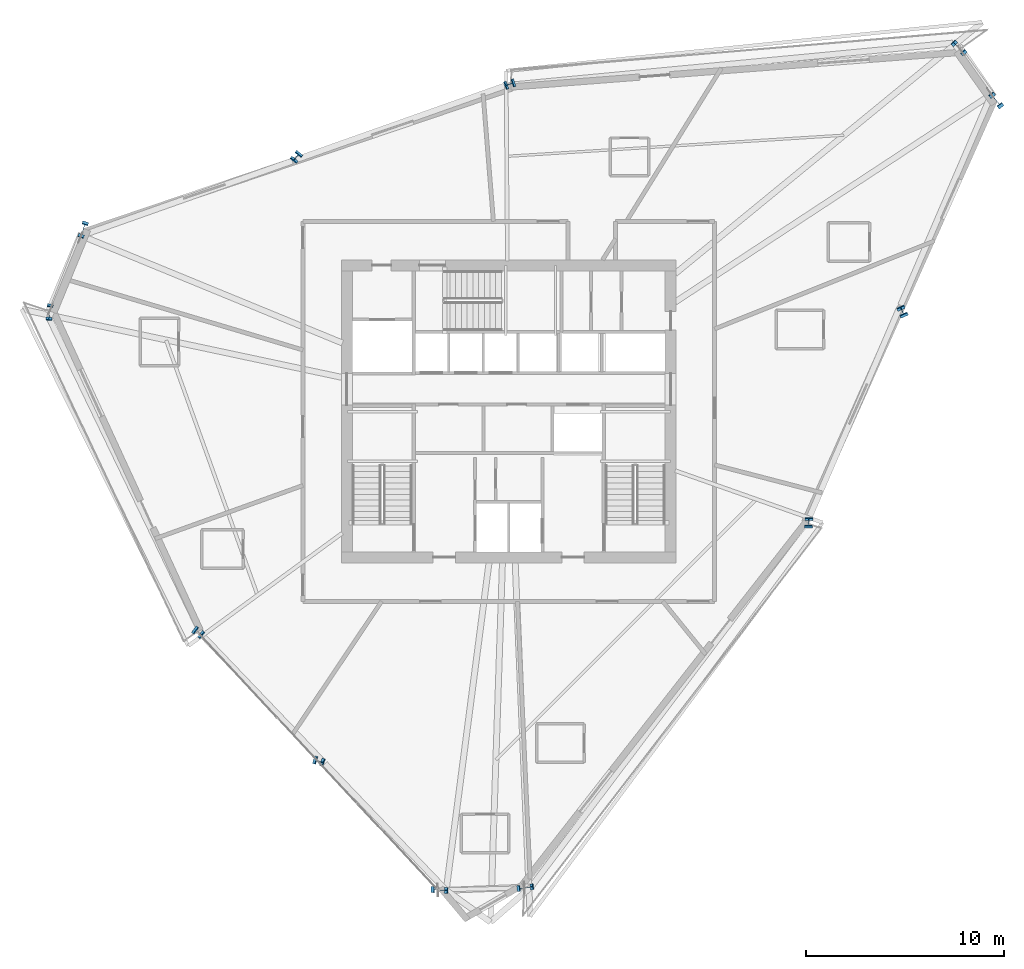
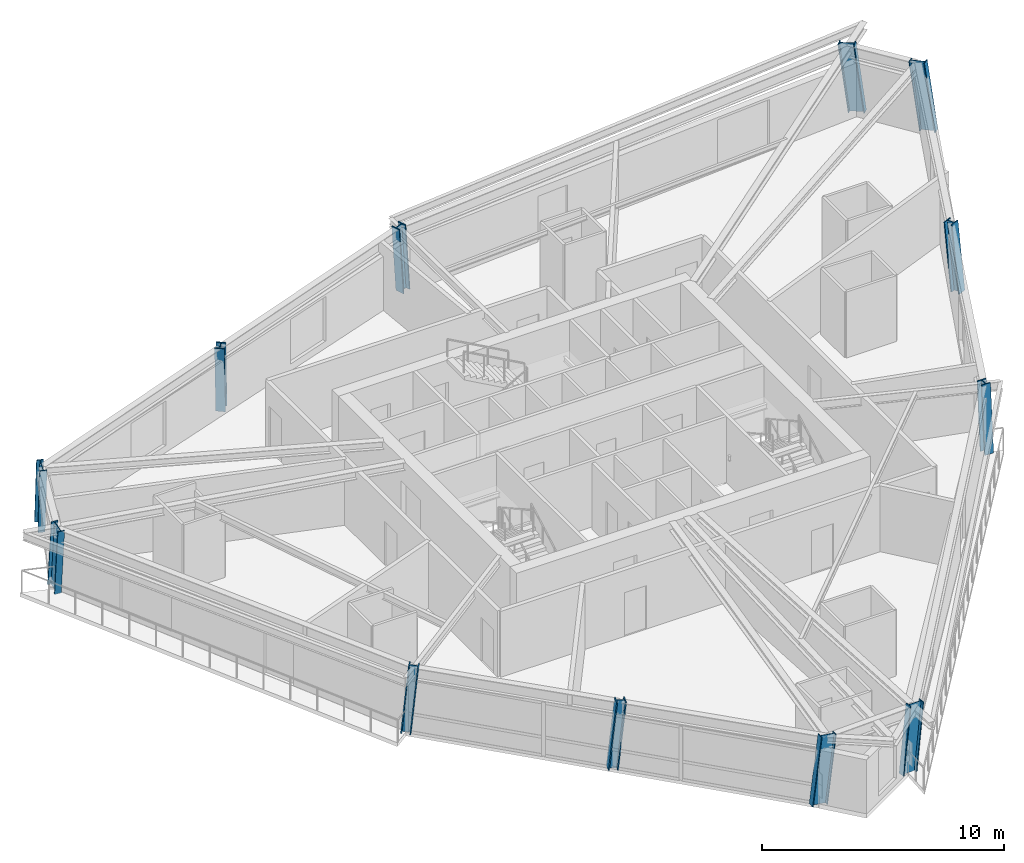
# One storey, part 1 of 14: 12 columns.
"""IFC4 building model written with IfcOpenShell, lengths in metres."""

import ifcopenshell
import ifcopenshell.guid

model = None  # the IFC model being written
_history = None  # IfcOwnerHistory: only IFC2X3 demands one
_inside = {}  # id of a spatial element -> (the spatial element, [elements in it])
_under = {}  # id of a project, library or spatial element -> (it, [spatial elements below it])
_declared = {}  # id of a project -> (the project, [libraries it declares])
_typed = {}  # id of a type object -> (the type object, [elements of that type])
_made_of = {}  # id of a material, layer set ... -> (it, [elements and type objects made of it])


def new_model(schema):
    """Start an empty IFC model of exactly this schema.

    Asked for "IFC4X3", IfcOpenShell would pick the latest addendum, in which some entities
    have other attributes; the version numbers below select the first issue.
    IFC2X3 requires an IfcOwnerHistory on every rooted entity: one is made here for all.
    """
    global model, _history
    if schema == "IFC4X3":
        model = ifcopenshell.file(schema_version=(4, 3, 0, 0))
    else:
        model = ifcopenshell.file(schema=schema)
    _inside.clear()
    _under.clear()
    _declared.clear()
    _typed.clear()
    _made_of.clear()
    _history = None
    if model.schema == "IFC2X3":
        org = make("IfcOrganization", Name="unknown")
        user = make(
            "IfcPersonAndOrganization",
            ThePerson=make("IfcPerson", FamilyName="unknown"),
            TheOrganization=org,
        )
        app = make(
            "IfcApplication",
            ApplicationDeveloper=org,
            Version="unknown",
            ApplicationFullName="unknown",
            ApplicationIdentifier="unknown",
        )
        _history = make(
            "IfcOwnerHistory",
            OwningUser=user,
            OwningApplication=app,
            ChangeAction="ADDED",
            CreationDate=0,
        )
    return model


def make(cls, **values):
    """One entity of the class cls with the attributes given. An attribute that is None is left unset."""
    return model.create_entity(
        cls, **{name: value for name, value in values.items() if value is not None}
    )


def rooted(cls, **values):
    """An entity with a GlobalId (a new one), such as an element, a storey or a relation."""
    return make(cls, GlobalId=ifcopenshell.guid.new(), OwnerHistory=_history, **values)


def si_unit(unit_type, name, prefix=None):
    """IfcSIUnit, for example si_unit("LENGTHUNIT", "METRE", prefix="MILLI")."""
    return make("IfcSIUnit", UnitType=unit_type, Prefix=prefix, Name=name)


def assignment(units):
    """IfcUnitAssignment: the units of a project."""
    return None if units is None else make("IfcUnitAssignment", Units=units)


def point(xyz):
    """IfcCartesianPoint."""
    return None if xyz is None else make("IfcCartesianPoint", Coordinates=xyz)


def direction(xyz):
    """IfcDirection."""
    return None if xyz is None else make("IfcDirection", DirectionRatios=xyz)


def frame(location, z_axis=None, x_axis=None):
    """IfcAxis2Placement3D, a coordinate frame: its origin and axes. An axis left out is left unset."""
    return make(
        "IfcAxis2Placement3D",
        Location=point(location),
        Axis=direction(z_axis),
        RefDirection=direction(x_axis),
    )


def frame_2d(location, x_axis=None):
    """IfcAxis2Placement2D, a coordinate frame in the plane: its origin and x axis."""
    return make(
        "IfcAxis2Placement2D", Location=point(location), RefDirection=direction(x_axis)
    )


def origin():
    """The frame at (0, 0, 0) with its axes left unset."""
    return frame((0.0, 0.0, 0.0))


def origin_2d():
    """The frame at (0, 0) in the plane with its x axis left unset."""
    return frame_2d((0.0, 0.0))


def place(relative_to, where):
    """IfcLocalPlacement: puts the frame where relative to a parent placement (None: the world)."""
    return make(
        "IfcLocalPlacement", PlacementRelTo=relative_to, RelativePlacement=where
    )


def context(
    kind, dimensions, precision=None, world=None, true_north=None, identifier=None
):
    """IfcGeometricRepresentationContext, for example the 3D "Model" context."""
    return make(
        "IfcGeometricRepresentationContext",
        ContextIdentifier=identifier,
        ContextType=kind,
        CoordinateSpaceDimension=dimensions,
        Precision=precision,
        WorldCoordinateSystem=world,
        TrueNorth=true_north,
    )


def subcontext(parent, identifier, kind, view, scale=None):
    """IfcGeometricRepresentationSubContext, for example "Body" below "Model"."""
    return make(
        "IfcGeometricRepresentationSubContext",
        ContextIdentifier=identifier,
        ContextType=kind,
        ParentContext=parent,
        TargetScale=scale,
        TargetView=view,
    )


def project(units=None, contexts=None):
    """IfcProject with its units and contexts."""
    return rooted(
        "IfcProject",
        Name="project",
        RepresentationContexts=contexts,
        UnitsInContext=assignment(units),
    )


def spatial(cls, under=None, at=None, **own):
    """A site, building, storey or space (cls), placed at a placement, below another one or the project."""
    s = rooted(cls, ObjectPlacement=at, **own)
    if under is not None:
        _under.setdefault(under.id(), (under, []))[1].append(s)
    return s


def profile(cls, at=None, kind="AREA", **sizes):
    """A parametric profile (cls). Its sizes go by their IFC names, for example OverallWidth=200.0."""
    return make(cls, ProfileType=kind, Position=at, **sizes)


def i_section(**sizes):
    """IfcIShapeProfileDef."""
    return profile("IfcIShapeProfileDef", **sizes)


def extrude(swept, where, along, depth):
    """IfcExtrudedAreaSolid: the profile swept, set in the frame where, extruded along a direction by depth."""
    return make(
        "IfcExtrudedAreaSolid",
        SweptArea=swept,
        Position=where,
        ExtrudedDirection=direction(along),
        Depth=depth,
    )


def shape(context_of_items, identifier, shape_type, items):
    """IfcShapeRepresentation: the items that make up one representation, for example the "Body"."""
    return make(
        "IfcShapeRepresentation",
        ContextOfItems=context_of_items,
        RepresentationIdentifier=identifier,
        RepresentationType=shape_type,
        Items=items,
    )


def source(mapping_origin, context_of_items, identifier, shape_type, items):
    """IfcRepresentationMap: a shape defined once, which mapped items show again and again."""
    return make(
        "IfcRepresentationMap",
        MappingOrigin=mapping_origin,
        MappedRepresentation=shape(context_of_items, identifier, shape_type, items),
    )


def transform(
    local_origin,
    x_axis=None,
    y_axis=None,
    z_axis=None,
    scale=None,
    scale2=None,
    scale3=None,
    uniform=True,
):
    """IfcCartesianTransformationOperator3D, or its non-uniform kind. x_axis, y_axis, z_axis: its Axis1, 2, 3."""
    if uniform:
        return make(
            "IfcCartesianTransformationOperator3D",
            Axis1=direction(x_axis),
            Axis2=direction(y_axis),
            LocalOrigin=point(local_origin),
            Scale=scale,
            Axis3=direction(z_axis),
        )
    return make(
        "IfcCartesianTransformationOperator3DnonUniform",
        Axis1=direction(x_axis),
        Axis2=direction(y_axis),
        LocalOrigin=point(local_origin),
        Scale=scale,
        Axis3=direction(z_axis),
        Scale2=scale2,
        Scale3=scale3,
    )


def mapped(mapping_source, mapping_target):
    """IfcMappedItem: shows the shape of a source again, moved by a transform."""
    return make(
        "IfcMappedItem", MappingSource=mapping_source, MappingTarget=mapping_target
    )


def material(Name=None, Category=None):
    """IfcMaterial."""
    return make("IfcMaterial", Name=Name, Category=Category)


def material_profile(
    of_material, cross_section, Name=None, Category=None, Priority=None
):
    """IfcMaterialProfile: a cross section and its material."""
    return make(
        "IfcMaterialProfile",
        Name=Name,
        Material=of_material,
        Profile=cross_section,
        Priority=Priority,
        Category=Category,
    )


def profile_set(profiles, Name=None, composite=None):
    """IfcMaterialProfileSet."""
    return make(
        "IfcMaterialProfileSet",
        Name=Name,
        MaterialProfiles=profiles,
        CompositeProfile=composite,
    )


def made_of(thing, what):
    """Note that an element or type object is made of a material, layer set ...; save() writes the relation."""
    if what is not None:
        _made_of.setdefault(what.id(), (what, []))[1].append(thing)
    return thing


def type_object(cls, material=None, **own):
    """A type object (cls), such as IfcWallType, which elements share."""
    return made_of(rooted(cls, **own), material)


def element(
    cls,
    number,
    at=None,
    inside=None,
    cuts=None,
    type_object=None,
    material=None,
    context=None,
    identifier="Body",
    shape_type=None,
    held_by="IfcProductDefinitionShape",
    body=None,
    shapes=None,
    **own,
):
    """One element of the class cls, such as IfcWall. Its Tag is "e" and its number.

    at: its placement. inside: the storey or other place that contains it. cuts: it is an
    opening in that element (IfcRelVoidsElement). A single representation is given by context,
    identifier, shape_type and body (its items); several are given by shapes. held_by: the class
    of the entity that holds the representations. save() writes the other relations.
    """
    e = rooted(cls, Tag="e%d" % number, ObjectPlacement=at, **own)
    if body is not None:
        shapes = [shape(context, identifier, shape_type, body)]
    if shapes is not None:
        e.Representation = make(held_by, Representations=shapes)
    if inside is not None:
        _inside.setdefault(inside.id(), (inside, []))[1].append(e)
    if cuts is not None:
        rooted(
            "IfcRelVoidsElement", RelatingBuildingElement=cuts, RelatedOpeningElement=e
        )
    if type_object is not None:
        _typed.setdefault(type_object.id(), (type_object, []))[1].append(e)
    return made_of(e, material)


def aggregate(whole, parts):
    """IfcRelAggregates: a whole, such as a stair, and the parts it consists of."""
    return rooted("IfcRelAggregates", RelatingObject=whole, RelatedObjects=parts)


def save(model, path):
    """Write the relations noted so far, then the file.

    IfcRelAggregates (storeys below a building ...), IfcRelContainedInSpatialStructure (elements
    in a storey), IfcRelDefinesByType, IfcRelAssociatesMaterial and IfcRelDeclares: one each for
    every whole, place, type object, material and project.
    """
    for whole, parts in _under.values():
        aggregate(whole, parts)
    for where, things in _inside.values():
        rooted(
            "IfcRelContainedInSpatialStructure",
            RelatedElements=things,
            RelatingStructure=where,
        )
    for kind, things in _typed.values():
        rooted("IfcRelDefinesByType", RelatedObjects=things, RelatingType=kind)
    for what, things in _made_of.values():
        rooted("IfcRelAssociatesMaterial", RelatedObjects=things, RelatingMaterial=what)
    for by, libraries in _declared.values():
        rooted("IfcRelDeclares", RelatingContext=by, RelatedDefinitions=libraries)
    model.write(path)


model = new_model("IFC4")

# Units and contexts
model_context = context("Model", 3, precision=1e-05, world=origin(), true_north=direction((0.0, 1.0)))
body_context = subcontext(model_context, "Body", "Model", "MODEL_VIEW")
ifc_project = project(units=[si_unit("LENGTHUNIT", "METRE"), si_unit("AREAUNIT", "SQUARE_METRE"), si_unit("VOLUMEUNIT", "CUBIC_METRE"), si_unit("PLANEANGLEUNIT", "RADIAN"), si_unit("MASSUNIT", "GRAM", prefix="KILO")], contexts=[model_context])

# Site, building, storey
site_placement = place(None, origin())
site = spatial("IfcSite", under=ifc_project, at=site_placement, CompositionType="ELEMENT")
building_placement = place(site_placement, origin())
building = spatial("IfcBuilding", under=site, at=building_placement, Name="Olszyna Solenne Hotel", CompositionType="ELEMENT")
storey_placement = place(building_placement, frame((0.0, 0.0, 178.550048828125)))
storey = spatial("IfcBuildingStorey", under=building, at=storey_placement, Name="L47", CompositionType="ELEMENT", Elevation=178.550048828125)

# Columns
ifc_material = material(Name="Steel S460M", Category="steel")
ifc_material_profile_1 = material_profile(ifc_material, i_section(OverallWidth=0.303955078125, OverallDepth=0.716064453125, WebThickness=0.02099609375, FlangeThickness=0.0400390625, at=origin_2d()), Name="HEM 700", Category="load-bearing")
ifc_profile_set_1 = profile_set([ifc_material_profile_1], Name="Steel S460M")
column_type_1 = type_object("IfcColumnType", Name="COL-K2", PredefinedType="COLUMN", material=ifc_profile_set_1)
shared_shape_1 = source(origin(), body_context, "Body", "SweptSolid", [
    extrude(i_section(OverallWidth=0.303955078125, OverallDepth=0.716064453125, WebThickness=0.02099609375, FlangeThickness=0.0400390625, at=origin_2d()), origin(), (0.0, 0.0, 1.0), 3.404052734375),
])
column_1_placement = place(storey_placement, frame((38.768798828125, 2.52978515625, 0.0), z_axis=(0.104640945149, 0.013985595822, 0.994411723436), x_axis=(-0.132475210533, 0.991186318809, 0.0)))
element("IfcColumn", 1, at=column_1_placement, inside=storey, type_object=column_type_1, Name="Perimeter framed-tube column COL-K2 C-L47-10", PredefinedType="COLUMN", context=body_context, shape_type="MappedRepresentation", body=[
    mapped(shared_shape_1, transform((0.0, 0.0, 0.0), x_axis=(1.0, 0.0, 0.0), y_axis=(0.0, 1.0, 0.0), z_axis=(0.0, 0.0, 1.0), scale=1.0)),
])
ifc_material_profile_2 = material_profile(ifc_material, i_section(OverallWidth=0.412109375, OverallDepth=0.43505859375, WebThickness=0.031494140625, FlangeThickness=0.050048828125, at=origin_2d()), Name="HD 400x463", Category="load-bearing")
ifc_profile_set_2 = profile_set([ifc_material_profile_2], Name="Steel S460M")
column_type_2 = type_object("IfcColumnType", Name="COL-T3", PredefinedType="COLUMN", material=ifc_profile_set_2)
shared_shape_2 = source(origin(), body_context, "Body", "SweptSolid", [
    extrude(i_section(OverallWidth=0.412109375, OverallDepth=0.43505859375, WebThickness=0.031494140625, FlangeThickness=0.050048828125, at=origin_2d()), origin(), (0.0, 0.0, 1.0), 3.396240234375),
])
column_2_placement = place(storey_placement, frame((53.1494140625, 20.922607421875, 0.0), z_axis=(0.002803613193, 0.080873457504, 0.996720434036), x_axis=(-0.99939965217, 0.034645854609, 0.0)))
element("IfcColumn", 2, at=column_2_placement, inside=storey, type_object=column_type_2, Name="Perimeter framed-tube column COL-T3 C-L47-11", PredefinedType="COLUMN", context=body_context, shape_type="MappedRepresentation", body=[
    mapped(shared_shape_2, transform((0.0, 0.0, 0.0), x_axis=(1.0, 0.0, 0.0), y_axis=(0.0, 1.0, 0.0), z_axis=(0.0, 0.0, 1.0), scale=1.0)),
])
shared_shape_3 = source(origin(), body_context, "Body", "SweptSolid", [
    extrude(i_section(OverallWidth=0.412109375, OverallDepth=0.43505859375, WebThickness=0.031494140625, FlangeThickness=0.050048828125, at=origin_2d()), origin(), (0.0, 0.0, 1.0), 3.403564453125),
])
column_3_placement = place(storey_placement, frame((57.912353515625, 31.580078125, 0.0), z_axis=(-0.042034391169, 0.095402287123, 0.994550910497), x_axis=(-0.915112004841, -0.403199725441, 0.0)))
element("IfcColumn", 3, at=column_3_placement, inside=storey, type_object=column_type_2, Name="Perimeter framed-tube column COL-T3 C-L47-12", PredefinedType="COLUMN", context=body_context, shape_type="MappedRepresentation", body=[
    mapped(shared_shape_3, transform((0.0, 0.0, 0.0), x_axis=(1.0, 0.0, 0.0), y_axis=(0.0, 1.0, 0.0), z_axis=(0.0, 0.0, 1.0), scale=1.0)),
])
shared_shape_4 = source(origin(), body_context, "Body", "SweptSolid", [
    extrude(i_section(OverallWidth=0.303955078125, OverallDepth=0.716064453125, WebThickness=0.02099609375, FlangeThickness=0.0400390625, at=origin_2d()), origin(), (0.0, 0.0, 1.0), 3.407470703125),
])
column_4_placement = place(storey_placement, frame((16.520263671875, 35.842529296875, 0.0), z_axis=(-0.035467286083, -0.108694692905, 0.993442265737), x_axis=(0.950669589838, -0.310205304528, 0.0)))
element("IfcColumn", 4, at=column_4_placement, inside=storey, type_object=column_type_1, Name="Perimeter framed-tube column COL-K2 C-L47-05", PredefinedType="COLUMN", context=body_context, shape_type="MappedRepresentation", body=[
    mapped(shared_shape_4, transform((0.0, 0.0, 0.0), x_axis=(1.0, 0.0, 0.0), y_axis=(0.0, 1.0, 0.0), z_axis=(0.0, 0.0, 1.0), scale=1.0)),
])
shared_shape_5 = source(origin(), body_context, "Body", "SweptSolid", [
    extrude(i_section(OverallWidth=0.303955078125, OverallDepth=0.716064453125, WebThickness=0.02099609375, FlangeThickness=0.0400390625, at=origin_2d()), origin(), (0.0, 0.0, 1.0), 3.4140625),
])
column_5_placement = place(storey_placement, frame((60.798095703125, 44.89404296875, 0.0), z_axis=(-0.09210556719, 0.091962546123, 0.991493547434), x_axis=(-0.706557145383, -0.707655990088, 0.0)))
element("IfcColumn", 5, at=column_5_placement, inside=storey, type_object=column_type_1, Name="Perimeter framed-tube column COL-K2 C-L47-02", PredefinedType="COLUMN", context=body_context, shape_type="MappedRepresentation", body=[
    mapped(shared_shape_5, transform((0.0, 0.0, 0.0), x_axis=(1.0, 0.0, 0.0), y_axis=(0.0, 1.0, 0.0), z_axis=(0.0, 0.0, 1.0), scale=1.0)),
])
shared_shape_6 = source(origin(), body_context, "Body", "SweptSolid", [
    extrude(i_section(OverallWidth=0.412109375, OverallDepth=0.43505859375, WebThickness=0.031494140625, FlangeThickness=0.050048828125, at=origin_2d()), origin(), (0.0, 0.0, 1.0), 3.39990234375),
])
column_6_placement = place(storey_placement, frame((22.265869140625, 15.469482421875, 0.0), z_axis=(0.074538045011, -0.05615486628, 0.99563583244), x_axis=(0.601722210695, 0.798705440795, 0.0)))
element("IfcColumn", 6, at=column_6_placement, inside=storey, type_object=column_type_2, Name="Perimeter framed-tube column COL-T3 C-L47-07", PredefinedType="COLUMN", context=body_context, shape_type="MappedRepresentation", body=[
    mapped(shared_shape_6, transform((0.0, 0.0, 0.0), x_axis=(1.0, 0.0, 0.0), y_axis=(0.0, 1.0, 0.0), z_axis=(0.0, 0.0, 1.0), scale=1.0)),
])
shared_shape_7 = source(origin(), body_context, "Body", "SweptSolid", [
    extrude(i_section(OverallWidth=0.412109375, OverallDepth=0.43505859375, WebThickness=0.031494140625, FlangeThickness=0.050048828125, at=origin_2d()), origin(), (0.0, 0.0, 1.0), 3.40283203125),
])
column_7_placement = place(storey_placement, frame((28.3466796875, 8.946533203125, 0.0), z_axis=(0.097502901597, -0.030779061652, 0.994759183694), x_axis=(0.301030617956, 0.953614475065, 0.0)))
element("IfcColumn", 7, at=column_7_placement, inside=storey, type_object=column_type_2, Name="Perimeter framed-tube column COL-T3 C-L47-08", PredefinedType="COLUMN", context=body_context, shape_type="MappedRepresentation", body=[
    mapped(shared_shape_7, transform((0.0, 0.0, 0.0), x_axis=(1.0, 0.0, 0.0), y_axis=(0.0, 1.0, 0.0), z_axis=(0.0, 0.0, 1.0), scale=1.0)),
])
shared_shape_8 = source(origin(), body_context, "Body", "SweptSolid", [
    extrude(i_section(OverallWidth=0.303955078125, OverallDepth=0.716064453125, WebThickness=0.02099609375, FlangeThickness=0.0400390625, at=origin_2d()), origin(), (0.0, 0.0, 1.0), 3.41845703125),
])
column_8_placement = place(storey_placement, frame((62.67529296875, 42.238037109375, 0.0), z_axis=(-0.086416341516, 0.109555923872, 0.990217004229), x_axis=(-0.785144723535, -0.61931233082, 0.0)))
element("IfcColumn", 8, at=column_8_placement, inside=storey, type_object=column_type_1, Name="Perimeter framed-tube column COL-K2 C-L47-01", PredefinedType="COLUMN", context=body_context, shape_type="MappedRepresentation", body=[
    mapped(shared_shape_8, transform((0.0, 0.0, 0.0), x_axis=(1.0, 0.0, 0.0), y_axis=(0.0, 1.0, 0.0), z_axis=(0.0, 0.0, 1.0), scale=1.0)),
])
shared_shape_9 = source(origin(), body_context, "Body", "SweptSolid", [
    extrude(i_section(OverallWidth=0.412109375, OverallDepth=0.43505859375, WebThickness=0.031494140625, FlangeThickness=0.050048828125, at=origin_2d()), origin(), (0.0, 0.0, 1.0), 3.395263671875),
])
column_9_placement = place(storey_placement, frame((38.091796875, 43.144287109375, 0.0), z_axis=(-0.07370194171, -0.025526038348, 0.996953582247), x_axis=(0.327268874933, -0.944931258611, 0.0)))
element("IfcColumn", 9, at=column_9_placement, inside=storey, type_object=column_type_2, Name="Perimeter framed-tube column COL-T3 C-L47-03", PredefinedType="COLUMN", context=body_context, shape_type="MappedRepresentation", body=[
    mapped(shared_shape_9, transform((0.0, 0.0, 0.0), x_axis=(1.0, 0.0, 0.0), y_axis=(0.0, 1.0, 0.0), z_axis=(0.0, 0.0, 1.0), scale=1.0)),
])
shared_shape_10 = source(origin(), body_context, "Body", "SweptSolid", [
    extrude(i_section(OverallWidth=0.412109375, OverallDepth=0.43505859375, WebThickness=0.031494140625, FlangeThickness=0.050048828125, at=origin_2d()), origin(), (0.0, 0.0, 1.0), 3.397705078125),
])
column_10_placement = place(storey_placement, frame((27.305908203125, 39.493408203125, 0.0), z_axis=(-0.054536558133, -0.067254569714, 0.996244240475), x_axis=(0.776722832327, -0.629842553137, 0.0)))
element("IfcColumn", 10, at=column_10_placement, inside=storey, type_object=column_type_2, Name="Perimeter framed-tube column COL-T3 C-L47-04", PredefinedType="COLUMN", context=body_context, shape_type="MappedRepresentation", body=[
    mapped(shared_shape_10, transform((0.0, 0.0, 0.0), x_axis=(1.0, 0.0, 0.0), y_axis=(0.0, 1.0, 0.0), z_axis=(0.0, 0.0, 1.0), scale=1.0)),
])
shared_shape_11 = source(origin(), body_context, "Body", "SweptSolid", [
    extrude(i_section(OverallWidth=0.303955078125, OverallDepth=0.716064453125, WebThickness=0.02099609375, FlangeThickness=0.0400390625, at=origin_2d()), origin(), (0.0, 0.0, 1.0), 3.40283203125),
])
column_11_placement = place(storey_placement, frame((14.809814453125, 31.671875, 0.0), z_axis=(-0.010402853053, -0.102019703729, 0.994727983269), x_axis=(0.994841349494, -0.101443034934, 0.0)))
element("IfcColumn", 11, at=column_11_placement, inside=storey, type_object=column_type_1, Name="Perimeter framed-tube column COL-K2 C-L47-06", PredefinedType="COLUMN", context=body_context, shape_type="MappedRepresentation", body=[
    mapped(shared_shape_11, transform((0.0, 0.0, 0.0), x_axis=(1.0, 0.0, 0.0), y_axis=(0.0, 1.0, 0.0), z_axis=(0.0, 0.0, 1.0), scale=1.0)),
])
shared_shape_12 = source(origin(), body_context, "Body", "SweptSolid", [
    extrude(i_section(OverallWidth=0.303955078125, OverallDepth=0.716064453125, WebThickness=0.02099609375, FlangeThickness=0.0400390625, at=origin_2d()), origin(), (0.0, 0.0, 1.0), 3.40966796875),
])
column_12_placement = place(storey_placement, frame((34.427734375, 2.423828125, 0.0), z_axis=(0.120145690359, -0.005441640326, 0.992741356869), x_axis=(0.045245630392, 0.998975892067, 0.0)))
element("IfcColumn", 12, at=column_12_placement, inside=storey, type_object=column_type_1, Name="Perimeter framed-tube column COL-K2 C-L47-09", PredefinedType="COLUMN", context=body_context, shape_type="MappedRepresentation", body=[
    mapped(shared_shape_12, transform((0.0, 0.0, 0.0), x_axis=(1.0, 0.0, 0.0), y_axis=(0.0, 1.0, 0.0), z_axis=(0.0, 0.0, 1.0), scale=1.0)),
])

save(model, "model.ifc")
